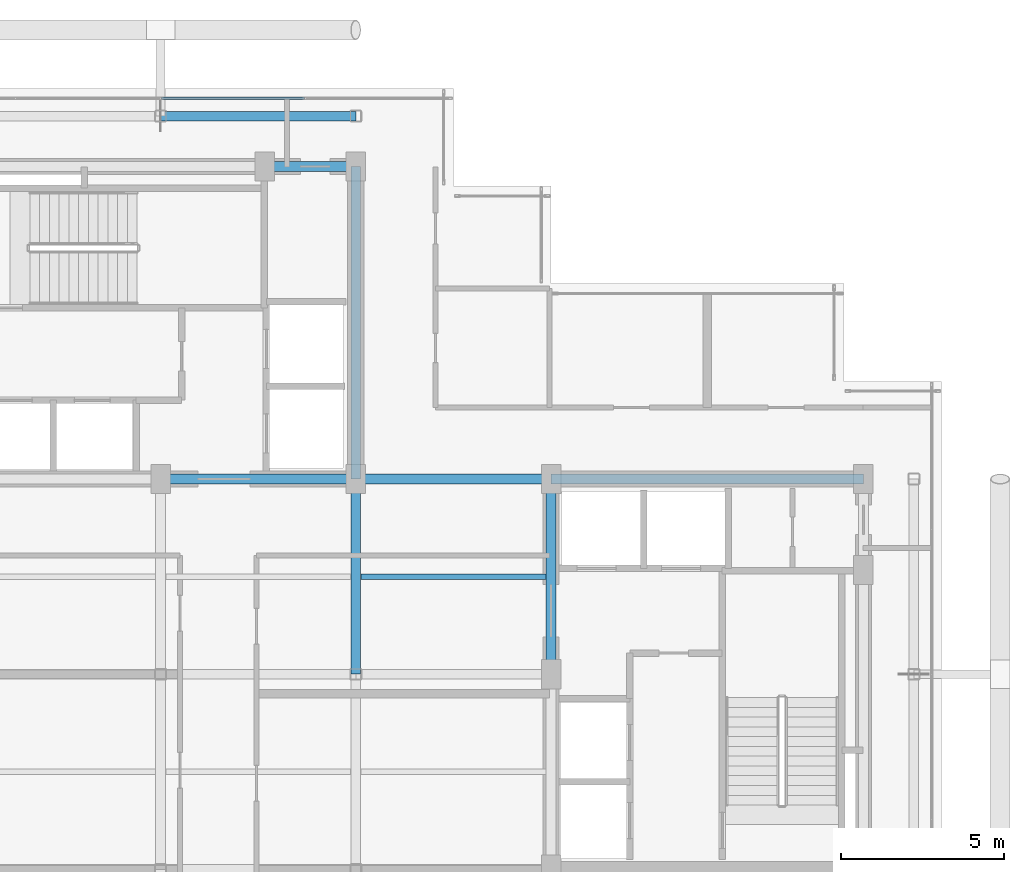
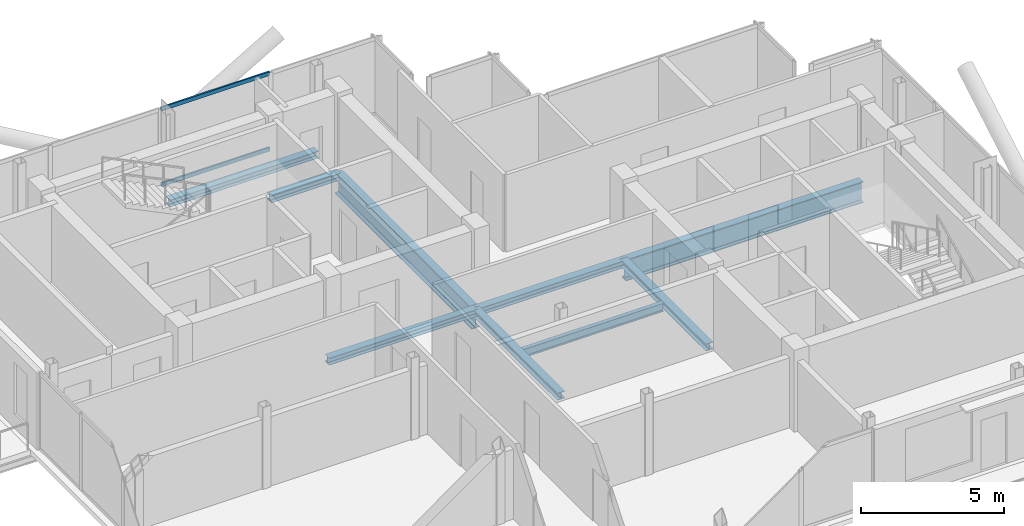
# One storey, part 9 of 18: 9 beams, 2 members, 1 element without a shape of its own.
"""IFC4 building model written with IfcOpenShell, lengths in metres."""

from ifc_helpers import new_model, si_unit, direction, frame, origin, origin_2d, place, context, subcontext, project, spatial, hollow_rectangle, i_section, extrude, material, layer, layer_set, material_profile, profile_set, type_object, element, aggregate, save


model = new_model("IFC4")

# Units and contexts
model_context = context("Model", 3, precision=1e-05, world=origin(), true_north=direction((0.0, 1.0)))
body_context = subcontext(model_context, "Body", "Model", "MODEL_VIEW")
ifc_project = project(units=[si_unit("LENGTHUNIT", "METRE"), si_unit("AREAUNIT", "SQUARE_METRE"), si_unit("VOLUMEUNIT", "CUBIC_METRE"), si_unit("PLANEANGLEUNIT", "RADIAN"), si_unit("MASSUNIT", "GRAM", prefix="KILO"), si_unit("THERMODYNAMICTEMPERATUREUNIT", "KELVIN"), si_unit("POWERUNIT", "WATT")], contexts=[model_context])

# Site, building, storey
site_placement = place(None, origin())
site = spatial("IfcSite", under=ifc_project, at=site_placement, CompositionType="ELEMENT")
building_placement = place(site_placement, origin())
building = spatial("IfcBuilding", under=site, at=building_placement, Name="Svarakhadi Broadcast Tower", CompositionType="ELEMENT")
storey_placement = place(building_placement, frame((0.0, 0.0, 288.699951171875)))
storey = spatial("IfcBuildingStorey", under=building, at=storey_placement, Name="L73", CompositionType="ELEMENT", Elevation=288.699951171875)

# Beam
ifc_material_1 = material(Name="Steel S355J2 (IS 2062 E350C)", Category="steel")
ifc_material_profile_1 = material_profile(ifc_material_1, i_section(OverallWidth=0.169921875, OverallDepth=0.360107421875, WebThickness=0.008056640625, FlangeThickness=0.0126953125, FilletRadius=0.01806640625, at=origin_2d()), Name="NPB 360x170x57")
ifc_profile_set_1 = profile_set([ifc_material_profile_1], Name="Steel S355J2 (IS 2062 E350C)")
beam_type_1 = type_object("IfcBeamType", Name="Beam_NPB360", PredefinedType="BEAM", material=ifc_profile_set_1)
beam_1_placement = place(storey_placement, frame((18.159912109375, 15.0, -0.3798828125), z_axis=(1.0, 0.0, 0.0), x_axis=(0.0, 1.0, 0.0)))
element("IfcBeam", 1, at=beam_1_placement, inside=storey, type_object=beam_type_1, Name="L73 Secondary Composite Beam SB012", PredefinedType="BEAM", context=body_context, shape_type="SweptSolid", body=[
    extrude(i_section(OverallWidth=0.169921875, OverallDepth=0.360107421875, WebThickness=0.008056640625, FlangeThickness=0.0126953125, FilletRadius=0.01806640625, at=origin_2d()), origin(), (0.0, 0.0, 1.0), 5.68017578125),
])

# Curtain wall, members
ifc_material_2 = material(Name="Anodised Bronze Aluminium AA 6063-T6", Category="aluminium")
ifc_layer = layer(ifc_material_2, 0.179931640625)
ifc_layer_set = layer_set([ifc_layer], Name="Anodised Bronze Aluminium AA 6063-T6")
curtain_wall_type = type_object("IfcCurtainWallType", Name="CW_Sys_05", PredefinedType="NOTDEFINED", material=ifc_layer_set)
curtain_wall_placement = place(storey_placement, origin())
curtain_wall = element("IfcCurtainWall", 2, at=curtain_wall_placement, inside=storey, type_object=curtain_wall_type, Name="L73 Unitised Facade Curtain Wall 05", PredefinedType="NOTDEFINED")
ifc_material_profile_2 = material_profile(ifc_material_2, hollow_rectangle(XDim=0.06494140625, YDim=0.1650390625, WallThickness=0.0048828125, at=origin_2d()), Name="ALU TRANSOM 165x65x5")
ifc_profile_set_2 = profile_set([ifc_material_profile_2], Name="Anodised Bronze Aluminium AA 6063-T6")
member_type = type_object("IfcMemberType", Name="CW_Sys_05_Trn", PredefinedType="USERDEFINED", material=ifc_profile_set_2)
member_1_placement = place(storey_placement, frame((12.034912109375, 29.699951171875, 0.032470703125), z_axis=(1.0, 0.0, 0.0), x_axis=(0.0, 1.0, 0.0)))
member_1 = element("IfcMember", 3, at=member_1_placement, type_object=member_type, Name="CW-05 transom 3.1", ObjectType="TRANSOM", PredefinedType="USERDEFINED", context=body_context, shape_type="SweptSolid", body=[
    extrude(hollow_rectangle(XDim=0.06494140625, YDim=0.1650390625, WallThickness=0.0048828125, at=origin_2d()), origin(), (0.0, 0.0, 1.0), 4.385009765625),
])
member_2_placement = place(storey_placement, frame((12.034912109375, 29.699951171875, 3.267578125), z_axis=(1.0, 0.0, 0.0), x_axis=(0.0, 1.0, 0.0)))
member_2 = element("IfcMember", 4, at=member_2_placement, type_object=member_type, Name="CW-05 transom 3.2", ObjectType="TRANSOM", PredefinedType="USERDEFINED", context=body_context, shape_type="SweptSolid", body=[
    extrude(hollow_rectangle(XDim=0.06494140625, YDim=0.1650390625, WallThickness=0.0048828125, at=origin_2d()), origin(), (0.0, 0.0, 1.0), 4.385009765625),
])
aggregate(curtain_wall, [member_1, member_2])

# Beams
ifc_material_profile_3 = material_profile(ifc_material_1, i_section(OverallWidth=0.300048828125, OverallDepth=0.300048828125, WebThickness=0.010986328125, FlangeThickness=0.01904296875, FilletRadius=0.027099609375, at=origin_2d()), Name="WPB 300x300x117")
ifc_profile_set_3 = profile_set([ifc_material_profile_3], Name="Steel S355J2 (IS 2062 E350C)")
beam_type_2 = type_object("IfcBeamType", Name="Girder_WPB300", PredefinedType="USERDEFINED", material=ifc_profile_set_3)
for number, where, z_axis, x_axis, name in (
    (5, (12.0, 18.0, -0.349853515625), (1.0, 0.0, 0.0), (0.0, 1.0, 0.0), "L73 Primary E-W Girder G019"),
    (6, (18.0, 18.0, -0.349853515625), (1.0, 0.0, 0.0), (0.0, 1.0, 0.0), "L73 Primary E-W Girder G020"),
):
    element("IfcBeam", number, at=place(storey_placement, frame(where, z_axis=z_axis, x_axis=x_axis)), inside=storey, type_object=beam_type_2, Name=name, ObjectType="GIRDER", PredefinedType="USERDEFINED", context=body_context, shape_type="SweptSolid", body=[
        extrude(i_section(OverallWidth=0.300048828125, OverallDepth=0.300048828125, WebThickness=0.010986328125, FlangeThickness=0.01904296875, FilletRadius=0.027099609375, at=origin_2d()), origin(), (0.0, 0.0, 1.0), 6.0),
    ])
beam_2_placement = place(storey_placement, frame((15.199951171875, 27.60009765625, -0.349853515625), z_axis=(1.0, 0.0, 0.0), x_axis=(0.0, 1.0, 0.0)))
element("IfcBeam", 7, at=beam_2_placement, inside=storey, type_object=beam_type_2, Name="L73 Primary E-W Girder G023", ObjectType="GIRDER", PredefinedType="USERDEFINED", context=body_context, shape_type="SweptSolid", body=[
    extrude(i_section(OverallWidth=0.300048828125, OverallDepth=0.300048828125, WebThickness=0.010986328125, FlangeThickness=0.01904296875, FilletRadius=0.027099609375, at=origin_2d()), origin(), (0.0, 0.0, 1.0), 2.800048828125),
])
for number, where, z_axis, x_axis, name in (
    (8, (12.0, 29.14990234375, -0.349853515625), (1.0, 0.0, 0.0), (0.0, 1.0, 0.0), "L73 Primary E-W Girder G025"),
    (9, (18.0, 12.0, -0.349853515625), (0.0, 1.0, 0.0), (-1.0, 0.0, 0.0), "L73 Primary N-S Girder G038"),
    (10, (24.0, 12.0, -0.349853515625), (0.0, 1.0, 0.0), (-1.0, 0.0, 0.0), "L73 Primary N-S Girder G042"),
):
    element("IfcBeam", number, at=place(storey_placement, frame(where, z_axis=z_axis, x_axis=x_axis)), inside=storey, type_object=beam_type_2, Name=name, ObjectType="GIRDER", PredefinedType="USERDEFINED", context=body_context, shape_type="SweptSolid", body=[
        extrude(i_section(OverallWidth=0.300048828125, OverallDepth=0.300048828125, WebThickness=0.010986328125, FlangeThickness=0.01904296875, FilletRadius=0.027099609375, at=origin_2d()), origin(), (0.0, 0.0, 1.0), 6.0),
    ])
ifc_material_3 = material(Name="Steel S460ML (IS 2062 E450BR)", Category="steel")
ifc_material_profile_4 = material_profile(ifc_material_3, i_section(OverallWidth=0.300048828125, OverallDepth=0.89990234375, WebThickness=0.0185546875, FlangeThickness=0.034912109375, FilletRadius=0.030029296875, at=origin_2d()), Name="WPB 900x300x291")
ifc_profile_set_4 = profile_set([ifc_material_profile_4], Name="Steel S460ML (IS 2062 E450BR)")
beam_type_3 = type_object("IfcBeamType", Name="Girder_WPB900", PredefinedType="USERDEFINED", material=ifc_profile_set_4)
for number, where, z_axis, x_axis, name in (
    (11, (24.0, 18.0, -0.64990234375), (1.0, 0.0, 0.0), (0.0, 1.0, 0.0), "L73 Primary E-W Girder G021"),
    (12, (18.0, 18.0, -0.64990234375), (0.0, 1.0, 0.0), (-1.0, 0.0, 0.0), "L73 Primary N-S Girder G039"),
):
    element("IfcBeam", number, at=place(storey_placement, frame(where, z_axis=z_axis, x_axis=x_axis)), inside=storey, type_object=beam_type_3, Name=name, ObjectType="GIRDER", PredefinedType="USERDEFINED", context=body_context, shape_type="SweptSolid", body=[
        extrude(i_section(OverallWidth=0.300048828125, OverallDepth=0.89990234375, WebThickness=0.0185546875, FlangeThickness=0.034912109375, FilletRadius=0.030029296875, at=origin_2d()), origin(), (0.0, 0.0, 1.0), 9.60009765625),
    ])

save(model, "model.ifc")
